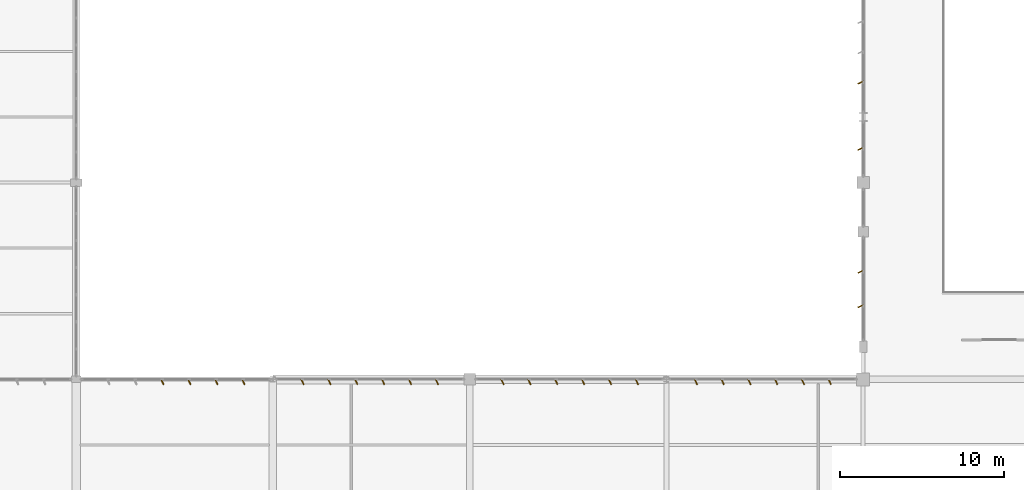
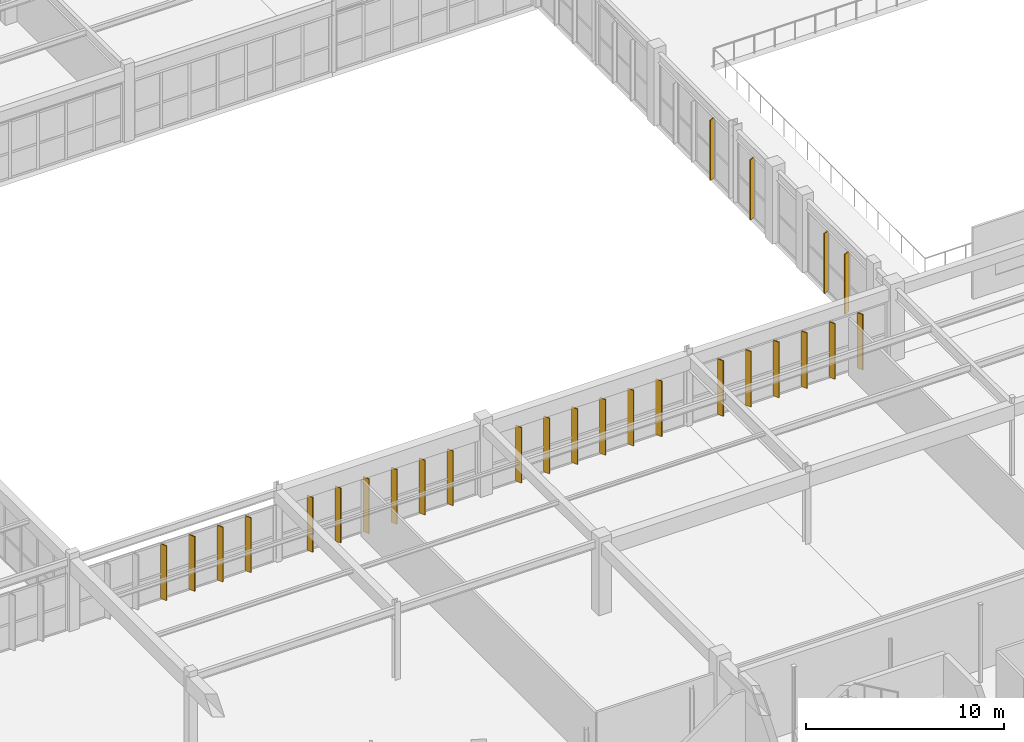
# One storey, part 206 of 226: 26 shading devices.
"""IFC4 building model written with IfcOpenShell, lengths in metres."""

from ifc_helpers import new_model, si_unit, direction, frame, origin, origin_2d, place, context, subcontext, project, spatial, rectangle, extrude, material, layer, layer_set, type_object, element, save


model = new_model("IFC4")

# Units and contexts
model_context = context("Model", 3, precision=1e-05, world=origin(), true_north=direction((0.0, 1.0)))
body_context = subcontext(model_context, "Body", "Model", "MODEL_VIEW")
ifc_project = project(units=[si_unit("LENGTHUNIT", "METRE"), si_unit("AREAUNIT", "SQUARE_METRE"), si_unit("VOLUMEUNIT", "CUBIC_METRE"), si_unit("PLANEANGLEUNIT", "RADIAN"), si_unit("MASSUNIT", "GRAM", prefix="KILO")], contexts=[model_context])

# Site, building, storey
site_placement = place(None, origin())
site = spatial("IfcSite", under=ifc_project, at=site_placement, CompositionType="ELEMENT")
building_placement = place(site_placement, origin())
building = spatial("IfcBuilding", under=site, at=building_placement, Name="Tarnwether General Hospital", CompositionType="ELEMENT")
storey_placement = place(building_placement, frame((0.0, 0.0, 4.800048828125)))
storey = spatial("IfcBuildingStorey", under=building, at=storey_placement, Name="L01", CompositionType="ELEMENT", Elevation=4.800048828125)

# Shading devices
ifc_material = material(Name="Champagne-bronze anodised aluminium", Category="aluminium")
ifc_layer = layer(ifc_material, 0.06005859375)
ifc_layer_set = layer_set([ifc_layer], Name="Champagne-bronze anodised aluminium")
shading_device_type = type_object("IfcShadingDeviceType", Name="SH-FIN-BRZ", PredefinedType="USERDEFINED", material=ifc_layer_set)
for number, where, z_axis, x_axis, name in (
    (1, (105.958984375, 45.43994140625, 0.0498046875), (0.0, 0.0, 1.0), (-0.906307787037, -0.422618261741, 0.0), "Champagne-Bronze Brise-Soleil Fin 0248"),
    (2, (104.325927734375, 45.43994140625, 0.0498046875), (0.0, 0.0, 1.0), (-0.906307787037, -0.422618261741, 0.0), "Champagne-Bronze Brise-Soleil Fin 0249"),
    (3, (102.694091796875, 45.43994140625, 0.0498046875), (0.0, 0.0, 1.0), (-0.906307787037, -0.422618261741, 0.0), "Champagne-Bronze Brise-Soleil Fin 0250"),
    (4, (101.06103515625, 45.43994140625, 0.0498046875), (0.0, 0.0, 1.0), (-0.906307787037, -0.422618261741, 0.0), "Champagne-Bronze Brise-Soleil Fin 0251"),
    (5, (99.427978515625, 45.43994140625, 0.0498046875), (0.0, 0.0, 1.0), (-0.906307787037, -0.422618261741, 0.0), "Champagne-Bronze Brise-Soleil Fin 0252"),
    (6, (97.794921875, 45.43994140625, 0.0498046875), (0.0, 0.0, 1.0), (-0.906307787037, -0.422618261741, 0.0), "Champagne-Bronze Brise-Soleil Fin 0253"),
    (7, (94.197998046875, 45.43994140625, 0.0498046875), (0.0, 0.0, 1.0), (-0.906307787037, -0.422618261741, 0.0), "Champagne-Bronze Brise-Soleil Fin 0254"),
    (8, (92.55810546875, 45.43994140625, 0.0498046875), (0.0, 0.0, 1.0), (-0.906307787037, -0.422618261741, 0.0), "Champagne-Bronze Brise-Soleil Fin 0255"),
    (9, (90.91796875, 45.43994140625, 0.0498046875), (0.0, 0.0, 1.0), (-0.906307787037, -0.422618261741, 0.0), "Champagne-Bronze Brise-Soleil Fin 0256"),
    (10, (89.278076171875, 45.43994140625, 0.0498046875), (0.0, 0.0, 1.0), (-0.906307787037, -0.422618261741, 0.0), "Champagne-Bronze Brise-Soleil Fin 0257"),
    (11, (87.637939453125, 45.43994140625, 0.0498046875), (0.0, 0.0, 1.0), (-0.906307787037, -0.422618261741, 0.0), "Champagne-Bronze Brise-Soleil Fin 0258"),
    (12, (85.998046875, 45.43994140625, 0.0498046875), (0.0, 0.0, 1.0), (-0.906307787037, -0.422618261741, 0.0), "Champagne-Bronze Brise-Soleil Fin 0259"),
):
    element("IfcShadingDevice", number, at=place(storey_placement, frame(where, z_axis=z_axis, x_axis=x_axis)), inside=storey, type_object=shading_device_type, Name=name, ObjectType="SOLAR FIN", PredefinedType="USERDEFINED", context=body_context, shape_type="SweptSolid", body=[
        extrude(rectangle(XDim=0.06005859375, YDim=0.360107421875, at=origin_2d()), origin(), (0.0, 0.0, 1.0), 3.429931640625),
    ])
for number, where, z_axis, x_axis, name in (
    (13, (82.001953125, 45.43994140625, 0.050048828125), (0.0, 0.0, 1.0), (-0.906307787037, -0.422618261741, 0.0), "Champagne-Bronze Brise-Soleil Fin 0260"),
    (14, (80.362060546875, 45.43994140625, 0.050048828125), (0.0, 0.0, 1.0), (-0.906307787037, -0.422618261741, 0.0), "Champagne-Bronze Brise-Soleil Fin 0261"),
    (15, (78.720947265625, 45.43994140625, 0.050048828125), (0.0, 0.0, 1.0), (-0.906307787037, -0.422618261741, 0.0), "Champagne-Bronze Brise-Soleil Fin 0262"),
    (16, (77.0810546875, 45.43994140625, 0.050048828125), (0.0, 0.0, 1.0), (-0.906307787037, -0.422618261741, 0.0), "Champagne-Bronze Brise-Soleil Fin 0263"),
    (17, (75.44091796875, 45.43994140625, 0.050048828125), (0.0, 0.0, 1.0), (-0.906307787037, -0.422618261741, 0.0), "Champagne-Bronze Brise-Soleil Fin 0264"),
    (18, (73.801025390625, 45.43994140625, 0.050048828125), (0.0, 0.0, 1.0), (-0.906307787037, -0.422618261741, 0.0), "Champagne-Bronze Brise-Soleil Fin 0265"),
    (19, (70.19189453125, 45.43994140625, 0.050048828125), (0.0, 0.0, 1.0), (-0.906307787037, -0.422618261741, 0.0), "Champagne-Bronze Brise-Soleil Fin 0266"),
    (20, (68.544921875, 45.43994140625, 0.050048828125), (0.0, 0.0, 1.0), (-0.906307787037, -0.422618261741, 0.0), "Champagne-Bronze Brise-Soleil Fin 0267"),
    (21, (66.89697265625, 45.43994140625, 0.050048828125), (0.0, 0.0, 1.0), (-0.906307787037, -0.422618261741, 0.0), "Champagne-Bronze Brise-Soleil Fin 0268"),
    (22, (65.25, 45.43994140625, 0.050048828125), (0.0, 0.0, 1.0), (-0.906307787037, -0.422618261741, 0.0), "Champagne-Bronze Brise-Soleil Fin 0269"),
):
    element("IfcShadingDevice", number, at=place(storey_placement, frame(where, z_axis=z_axis, x_axis=x_axis)), inside=storey, type_object=shading_device_type, Name=name, ObjectType="SOLAR FIN", PredefinedType="USERDEFINED", context=body_context, shape_type="SweptSolid", body=[
        extrude(rectangle(XDim=0.06005859375, YDim=0.360107421875, at=origin_2d()), origin(), (0.0, 0.0, 1.0), 3.3798828125),
    ])
for number, where, z_axis, x_axis, name in (
    (23, (107.840087890625, 50.06103515625, 0.0498046875), (0.0, 0.0, 1.0), (-0.422618261741, 0.906307787037, 0.0), "Champagne-Bronze Brise-Soleil Fin 0278"),
    (24, (107.840087890625, 52.1640625, 0.0498046875), (0.0, 0.0, 1.0), (-0.422618261741, 0.906307787037, 0.0), "Champagne-Bronze Brise-Soleil Fin 0279"),
):
    element("IfcShadingDevice", number, at=place(storey_placement, frame(where, z_axis=z_axis, x_axis=x_axis)), inside=storey, type_object=shading_device_type, Name=name, ObjectType="SOLAR FIN", PredefinedType="USERDEFINED", context=body_context, shape_type="SweptSolid", body=[
        extrude(rectangle(XDim=0.06005859375, YDim=0.360107421875, at=origin_2d()), origin(), (0.0, 0.0, 1.0), 3.718017578125),
    ])
for number, where, z_axis, x_axis, name in (
    (25, (107.840087890625, 59.6630859375, 0.0498046875), (0.0, 0.0, 1.0), (-0.422618261741, 0.906307787037, 0.0), "Champagne-Bronze Brise-Soleil Fin 0280"),
    (26, (107.840087890625, 63.7041015625, 0.0498046875), (0.0, 0.0, 1.0), (-0.422618261741, 0.906307787037, 0.0), "Champagne-Bronze Brise-Soleil Fin 0281"),
):
    element("IfcShadingDevice", number, at=place(storey_placement, frame(where, z_axis=z_axis, x_axis=x_axis)), inside=storey, type_object=shading_device_type, Name=name, ObjectType="SOLAR FIN", PredefinedType="USERDEFINED", context=body_context, shape_type="SweptSolid", body=[
        extrude(rectangle(XDim=0.06005859375, YDim=0.360107421875, at=origin_2d()), origin(), (0.0, 0.0, 1.0), 3.722900390625),
    ])

save(model, "model.ifc")
